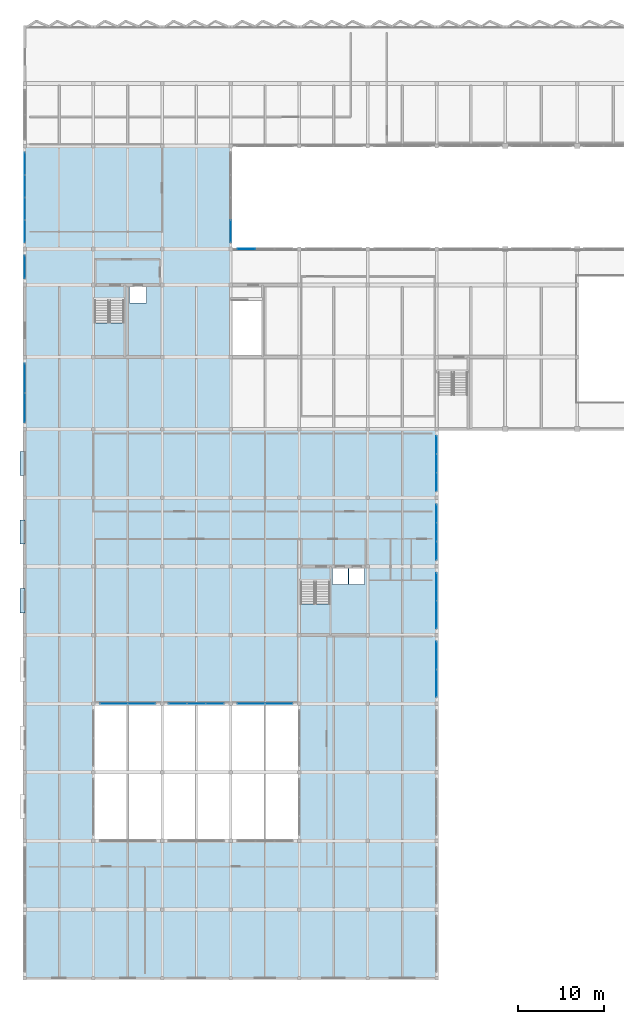
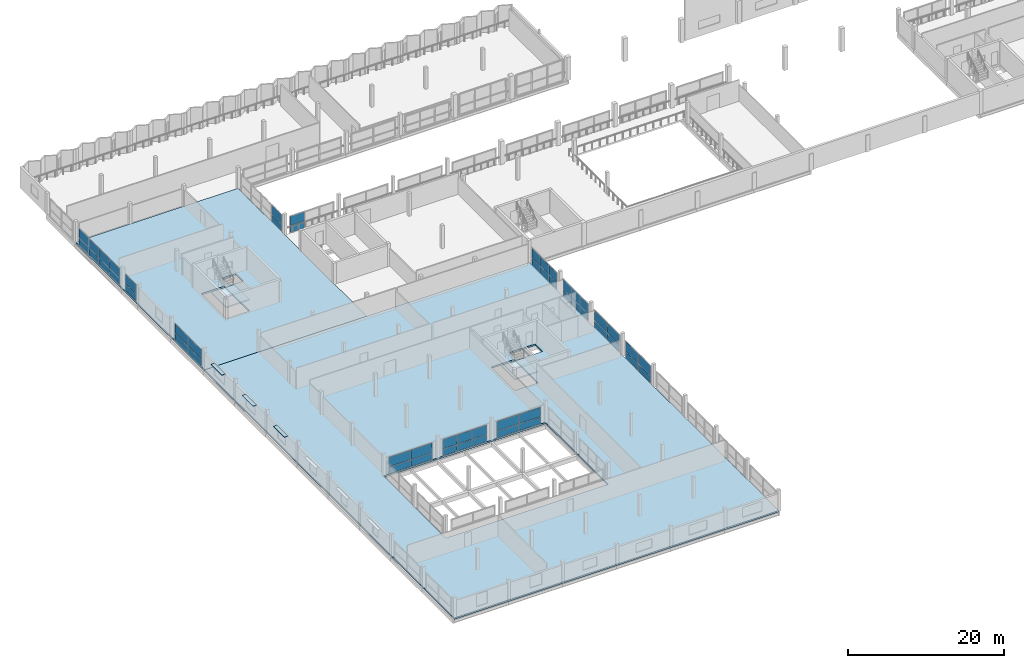
# One storey, part 31 of 51: 55 plates, 4 slabs, 14 elements without a shape of their own.
"""IFC4 building model written with IfcOpenShell, lengths in metres."""

from ifc_helpers import new_model, si_unit, direction, frame, origin, origin_2d, place, context, subcontext, project, spatial, polyline, rectangle, outline, extrude, material, layer, layer_set, type_object, element, aggregate, save


model = new_model("IFC4")

# Units and contexts
model_context = context("Model", 3, precision=1e-05, world=origin(), true_north=direction((0.0, 1.0)))
body_context = subcontext(model_context, "Body", "Model", "MODEL_VIEW")
ifc_project = project(units=[si_unit("LENGTHUNIT", "METRE"), si_unit("AREAUNIT", "SQUARE_METRE"), si_unit("VOLUMEUNIT", "CUBIC_METRE"), si_unit("PLANEANGLEUNIT", "RADIAN"), si_unit("MASSUNIT", "GRAM", prefix="KILO")], contexts=[model_context])

# Site, building, storey
site_placement = place(None, origin())
site = spatial("IfcSite", under=ifc_project, at=site_placement, CompositionType="ELEMENT")
building_placement = place(site_placement, origin())
building = spatial("IfcBuilding", under=site, at=building_placement, Name="Vharandega Faculty of Natural Sciences", CompositionType="ELEMENT")
storey_placement = place(building_placement, frame((0.0, 0.0, 14.39990234375)))
storey = spatial("IfcBuildingStorey", under=building, at=storey_placement, Name="L03", CompositionType="ELEMENT", Elevation=14.39990234375)

# Curtain wall, plates
ifc_material_1 = material(Name="Aluminium and solar-control glass curtain wall", Category="aluminium")
curtain_wall_type_1 = type_object("IfcCurtainWallType", Name="Unitised Curtain Wall System CW-08", PredefinedType="NOTDEFINED", material=ifc_material_1)
curtain_wall_1_placement = place(storey_placement, origin())
curtain_wall_1 = element("IfcCurtainWall", 1, at=curtain_wall_1_placement, inside=storey, type_object=curtain_wall_type_1, Name="Curtain Wall CW-L03-063", PredefinedType="NOTDEFINED")
ifc_material_2 = material(Name="Double-glazed low-E solar glass", Category="glass")
ifc_layer_1 = layer(ifc_material_2, 0.028076171875, Name="Double-glazed low-E solar glass")
ifc_layer_set_1 = layer_set([ifc_layer_1], Name="Double-glazed low-E solar glass")
plate_type_1 = type_object("IfcPlateType", Name="CW Solar Vision Panel 28mm", PredefinedType="CURTAIN_PANEL", material=ifc_layer_set_1)
plate_1_placement = place(storey_placement, frame((0.0, 66.485107421875, 0.06005859375), z_axis=(0.0, 0.0, 1.0), x_axis=(0.0, 1.0, 0.0)))
plate_1 = element("IfcPlate", 2, at=plate_1_placement, type_object=plate_type_1, Name="CW-08 panel 1.1", PredefinedType="CURTAIN_PANEL", context=body_context, shape_type="SweptSolid", body=[
    extrude(rectangle(XDim=3.3701171875, YDim=0.028076171875, at=origin_2d()), origin(), (0.0, 0.0, 1.0), 1.060791015625),
])
plate_2_placement = place(storey_placement, frame((0.0, 66.485107421875, 1.1806640625), z_axis=(0.0, 0.0, 1.0), x_axis=(0.0, 1.0, 0.0)))
plate_2 = element("IfcPlate", 3, at=plate_2_placement, type_object=plate_type_1, Name="CW-08 panel 1.2", PredefinedType="CURTAIN_PANEL", context=body_context, shape_type="SweptSolid", body=[
    extrude(rectangle(XDim=3.3701171875, YDim=0.028076171875, at=origin_2d()), origin(), (0.0, 0.0, 1.0), 1.499267578125),
])
plate_3_placement = place(storey_placement, frame((0.0, 69.9150390625, 0.06005859375), z_axis=(0.0, 0.0, 1.0), x_axis=(0.0, 1.0, 0.0)))
plate_3 = element("IfcPlate", 4, at=plate_3_placement, type_object=plate_type_1, Name="CW-08 panel 2.1", PredefinedType="CURTAIN_PANEL", context=body_context, shape_type="SweptSolid", body=[
    extrude(rectangle(XDim=3.3701171875, YDim=0.028076171875, at=origin_2d()), origin(), (0.0, 0.0, 1.0), 1.060791015625),
])
plate_4_placement = place(storey_placement, frame((0.0, 69.9150390625, 1.1806640625), z_axis=(0.0, 0.0, 1.0), x_axis=(0.0, 1.0, 0.0)))
plate_4 = element("IfcPlate", 5, at=plate_4_placement, type_object=plate_type_1, Name="CW-08 panel 2.2", PredefinedType="CURTAIN_PANEL", context=body_context, shape_type="SweptSolid", body=[
    extrude(rectangle(XDim=3.3701171875, YDim=0.028076171875, at=origin_2d()), origin(), (0.0, 0.0, 1.0), 1.499267578125),
])
aggregate(curtain_wall_1, [plate_1, plate_2, plate_3, plate_4])

ifc_material_3 = material(Name="Aluminium and solar-control glass curtain wall", Category="aluminium")
curtain_wall_type_2 = type_object("IfcCurtainWallType", Name="Unitised Curtain Wall System CW-09", PredefinedType="NOTDEFINED", material=ifc_material_3)
curtain_wall_2_placement = place(storey_placement, origin())
curtain_wall_2 = element("IfcCurtainWall", 6, at=curtain_wall_2_placement, inside=storey, type_object=curtain_wall_type_2, Name="Curtain Wall CW-L03-064", PredefinedType="NOTDEFINED")
plate_5_placement = place(storey_placement, frame((0.0, 82.89990234375, 0.06005859375), z_axis=(0.0, 0.0, 1.0), x_axis=(0.0, 1.0, 0.0)))
plate_5 = element("IfcPlate", 7, at=plate_5_placement, type_object=plate_type_1, Name="CW-09 panel 1.1", PredefinedType="CURTAIN_PANEL", context=body_context, shape_type="SweptSolid", body=[
    extrude(rectangle(XDim=2.60009765625, YDim=0.028076171875, at=origin_2d()), origin(), (0.0, 0.0, 1.0), 1.060791015625),
])
plate_6_placement = place(storey_placement, frame((0.0, 82.89990234375, 1.1806640625), z_axis=(0.0, 0.0, 1.0), x_axis=(0.0, 1.0, 0.0)))
plate_6 = element("IfcPlate", 8, at=plate_6_placement, type_object=plate_type_1, Name="CW-09 panel 1.2", PredefinedType="CURTAIN_PANEL", context=body_context, shape_type="SweptSolid", body=[
    extrude(rectangle(XDim=2.60009765625, YDim=0.028076171875, at=origin_2d()), origin(), (0.0, 0.0, 1.0), 1.499267578125),
])
aggregate(curtain_wall_2, [plate_5, plate_6])

ifc_material_4 = material(Name="Aluminium and solar-control glass curtain wall", Category="aluminium")
curtain_wall_type_3 = type_object("IfcCurtainWallType", Name="Unitised Curtain Wall System CW-10", PredefinedType="NOTDEFINED", material=ifc_material_4)
curtain_wall_3_placement = place(storey_placement, origin())
curtain_wall_3 = element("IfcCurtainWall", 9, at=curtain_wall_3_placement, inside=storey, type_object=curtain_wall_type_3, Name="Curtain Wall CW-L03-065", PredefinedType="NOTDEFINED")
plate_7_placement = place(storey_placement, frame((0.0, 87.070068359375, 0.06005859375), z_axis=(0.0, 0.0, 1.0), x_axis=(0.0, 1.0, 0.0)))
plate_7 = element("IfcPlate", 10, at=plate_7_placement, type_object=plate_type_1, Name="CW-10 panel 1.1", PredefinedType="CURTAIN_PANEL", context=body_context, shape_type="SweptSolid", body=[
    extrude(rectangle(XDim=2.5400390625, YDim=0.028076171875, at=origin_2d()), origin(), (0.0, 0.0, 1.0), 1.039794921875),
])
plate_8_placement = place(storey_placement, frame((0.0, 87.070068359375, 1.159912109375), z_axis=(0.0, 0.0, 1.0), x_axis=(0.0, 1.0, 0.0)))
plate_8 = element("IfcPlate", 11, at=plate_8_placement, type_object=plate_type_1, Name="CW-10 panel 1.2", PredefinedType="CURTAIN_PANEL", context=body_context, shape_type="SweptSolid", body=[
    extrude(rectangle(XDim=2.5400390625, YDim=0.028076171875, at=origin_2d()), origin(), (0.0, 0.0, 1.0), 1.47021484375),
])
plate_9_placement = place(storey_placement, frame((0.0, 89.68505859375, 0.06005859375), z_axis=(0.0, 0.0, 1.0), x_axis=(0.0, 1.0, 0.0)))
plate_9 = element("IfcPlate", 12, at=plate_9_placement, type_object=plate_type_1, Name="CW-10 panel 2.1", PredefinedType="CURTAIN_PANEL", context=body_context, shape_type="SweptSolid", body=[
    extrude(rectangle(XDim=2.570068359375, YDim=0.028076171875, at=origin_2d()), origin(), (0.0, 0.0, 1.0), 1.039794921875),
])
plate_10_placement = place(storey_placement, frame((0.0, 89.68505859375, 1.159912109375), z_axis=(0.0, 0.0, 1.0), x_axis=(0.0, 1.0, 0.0)))
plate_10 = element("IfcPlate", 13, at=plate_10_placement, type_object=plate_type_1, Name="CW-10 panel 2.2", PredefinedType="CURTAIN_PANEL", context=body_context, shape_type="SweptSolid", body=[
    extrude(rectangle(XDim=2.570068359375, YDim=0.028076171875, at=origin_2d()), origin(), (0.0, 0.0, 1.0), 1.47021484375),
])
plate_11_placement = place(storey_placement, frame((0.0, 92.31494140625, 0.06005859375), z_axis=(0.0, 0.0, 1.0), x_axis=(0.0, 1.0, 0.0)))
plate_11 = element("IfcPlate", 14, at=plate_11_placement, type_object=plate_type_1, Name="CW-10 panel 3.1", PredefinedType="CURTAIN_PANEL", context=body_context, shape_type="SweptSolid", body=[
    extrude(rectangle(XDim=2.570068359375, YDim=0.028076171875, at=origin_2d()), origin(), (0.0, 0.0, 1.0), 1.039794921875),
])
plate_12_placement = place(storey_placement, frame((0.0, 92.31494140625, 1.159912109375), z_axis=(0.0, 0.0, 1.0), x_axis=(0.0, 1.0, 0.0)))
plate_12 = element("IfcPlate", 15, at=plate_12_placement, type_object=plate_type_1, Name="CW-10 panel 3.2", PredefinedType="CURTAIN_PANEL", context=body_context, shape_type="SweptSolid", body=[
    extrude(rectangle(XDim=2.570068359375, YDim=0.028076171875, at=origin_2d()), origin(), (0.0, 0.0, 1.0), 1.47021484375),
])
plate_13_placement = place(storey_placement, frame((0.0, 94.929931640625, 0.06005859375), z_axis=(0.0, 0.0, 1.0), x_axis=(0.0, 1.0, 0.0)))
plate_13 = element("IfcPlate", 16, at=plate_13_placement, type_object=plate_type_1, Name="CW-10 panel 4.1", PredefinedType="CURTAIN_PANEL", context=body_context, shape_type="SweptSolid", body=[
    extrude(rectangle(XDim=2.5400390625, YDim=0.028076171875, at=origin_2d()), origin(), (0.0, 0.0, 1.0), 1.039794921875),
])
plate_14_placement = place(storey_placement, frame((0.0, 94.929931640625, 1.159912109375), z_axis=(0.0, 0.0, 1.0), x_axis=(0.0, 1.0, 0.0)))
plate_14 = element("IfcPlate", 17, at=plate_14_placement, type_object=plate_type_1, Name="CW-10 panel 4.2", PredefinedType="CURTAIN_PANEL", context=body_context, shape_type="SweptSolid", body=[
    extrude(rectangle(XDim=2.5400390625, YDim=0.028076171875, at=origin_2d()), origin(), (0.0, 0.0, 1.0), 1.47021484375),
])
aggregate(curtain_wall_3, [plate_7, plate_8, plate_9, plate_10, plate_11, plate_12, plate_13, plate_14])

ifc_material_5 = material(Name="Aluminium and solar-control glass curtain wall", Category="aluminium")
curtain_wall_type_4 = type_object("IfcCurtainWallType", Name="Unitised Curtain Wall System CW-18", PredefinedType="NOTDEFINED", material=ifc_material_5)
curtain_wall_4_placement = place(storey_placement, origin())
curtain_wall_4 = element("IfcCurtainWall", 18, at=curtain_wall_4_placement, inside=storey, type_object=curtain_wall_type_4, Name="Curtain Wall CW-L03-073", PredefinedType="NOTDEFINED")
plate_15_placement = place(storey_placement, frame((24.0, 87.070068359375, 0.06005859375), z_axis=(0.0, 0.0, 1.0), x_axis=(0.0, 1.0, 0.0)))
plate_15 = element("IfcPlate", 19, at=plate_15_placement, type_object=plate_type_1, Name="CW-18 panel 1.1", PredefinedType="CURTAIN_PANEL", context=body_context, shape_type="SweptSolid", body=[
    extrude(rectangle(XDim=2.5400390625, YDim=0.028076171875, at=origin_2d()), origin(), (0.0, 0.0, 1.0), 1.039794921875),
])
plate_16_placement = place(storey_placement, frame((24.0, 87.070068359375, 1.159912109375), z_axis=(0.0, 0.0, 1.0), x_axis=(0.0, 1.0, 0.0)))
plate_16 = element("IfcPlate", 20, at=plate_16_placement, type_object=plate_type_1, Name="CW-18 panel 1.2", PredefinedType="CURTAIN_PANEL", context=body_context, shape_type="SweptSolid", body=[
    extrude(rectangle(XDim=2.5400390625, YDim=0.028076171875, at=origin_2d()), origin(), (0.0, 0.0, 1.0), 1.47021484375),
])
aggregate(curtain_wall_4, [plate_15, plate_16])

ifc_material_6 = material(Name="Aluminium and solar-control glass curtain wall", Category="aluminium")
curtain_wall_type_5 = type_object("IfcCurtainWallType", Name="Unitised Curtain Wall System CW-11", PredefinedType="NOTDEFINED", material=ifc_material_6)
curtain_wall_5_placement = place(storey_placement, origin())
curtain_wall_5 = element("IfcCurtainWall", 21, at=curtain_wall_5_placement, inside=storey, type_object=curtain_wall_type_5, Name="Curtain Wall CW-L03-094", PredefinedType="NOTDEFINED")
plate_17_placement = place(storey_placement, frame((25.841552734375, 85.0, 0.06005859375), z_axis=(0.0, 0.0, 1.0), x_axis=(1.0, 0.0, 0.0)))
plate_17 = element("IfcPlate", 22, at=plate_17_placement, type_object=plate_type_1, Name="CW-11 panel 1.1", PredefinedType="CURTAIN_PANEL", context=body_context, shape_type="SweptSolid", body=[
    extrude(rectangle(XDim=2.083251953125, YDim=0.028076171875, at=origin_2d()), origin(), (0.0, 0.0, 1.0), 1.027099609375),
])
plate_18_placement = place(storey_placement, frame((25.841552734375, 85.0, 1.1474609375), z_axis=(0.0, 0.0, 1.0), x_axis=(1.0, 0.0, 0.0)))
plate_18 = element("IfcPlate", 23, at=plate_18_placement, type_object=plate_type_1, Name="CW-11 panel 1.2", PredefinedType="CURTAIN_PANEL", context=body_context, shape_type="SweptSolid", body=[
    extrude(rectangle(XDim=2.083251953125, YDim=0.028076171875, at=origin_2d()), origin(), (0.0, 0.0, 1.0), 1.452880859375),
])
aggregate(curtain_wall_5, [plate_17, plate_18])

curtain_wall_6_placement = place(storey_placement, origin())
curtain_wall_6 = element("IfcCurtainWall", 24, at=curtain_wall_6_placement, inside=storey, type_object=curtain_wall_type_4, Name="Curtain Wall CW-L03-157", PredefinedType="NOTDEFINED")
plate_19_placement = place(storey_placement, frame((48.0, 34.385009765625, 0.06005859375), z_axis=(0.0, 0.0, 1.0), x_axis=(0.0, 1.0, 0.0)))
plate_19 = element("IfcPlate", 25, at=plate_19_placement, type_object=plate_type_1, Name="CW-18 panel 1.1", PredefinedType="CURTAIN_PANEL", context=body_context, shape_type="SweptSolid", body=[
    extrude(rectangle(XDim=3.169921875, YDim=0.028076171875, at=origin_2d()), origin(), (0.0, 0.0, 1.0), 1.07763671875),
])
plate_20_placement = place(storey_placement, frame((48.0, 34.385009765625, 1.19775390625), z_axis=(0.0, 0.0, 1.0), x_axis=(0.0, 1.0, 0.0)))
plate_20 = element("IfcPlate", 26, at=plate_20_placement, type_object=plate_type_1, Name="CW-18 panel 1.2", PredefinedType="CURTAIN_PANEL", context=body_context, shape_type="SweptSolid", body=[
    extrude(rectangle(XDim=3.169921875, YDim=0.028076171875, at=origin_2d()), origin(), (0.0, 0.0, 1.0), 1.5224609375),
])
plate_21_placement = place(storey_placement, frame((48.0, 37.614990234375, 0.06005859375), z_axis=(0.0, 0.0, 1.0), x_axis=(0.0, 1.0, 0.0)))
plate_21 = element("IfcPlate", 27, at=plate_21_placement, type_object=plate_type_1, Name="CW-18 panel 2.1", PredefinedType="CURTAIN_PANEL", context=body_context, shape_type="SweptSolid", body=[
    extrude(rectangle(XDim=3.169921875, YDim=0.028076171875, at=origin_2d()), origin(), (0.0, 0.0, 1.0), 1.07763671875),
])
plate_22_placement = place(storey_placement, frame((48.0, 37.614990234375, 1.19775390625), z_axis=(0.0, 0.0, 1.0), x_axis=(0.0, 1.0, 0.0)))
plate_22 = element("IfcPlate", 28, at=plate_22_placement, type_object=plate_type_1, Name="CW-18 panel 2.2", PredefinedType="CURTAIN_PANEL", context=body_context, shape_type="SweptSolid", body=[
    extrude(rectangle(XDim=3.169921875, YDim=0.028076171875, at=origin_2d()), origin(), (0.0, 0.0, 1.0), 1.5224609375),
])
aggregate(curtain_wall_6, [plate_19, plate_20, plate_21, plate_22])

ifc_material_7 = material(Name="Aluminium and solar-control glass curtain wall", Category="aluminium")
curtain_wall_type_6 = type_object("IfcCurtainWallType", Name="Unitised Curtain Wall System CW-19", PredefinedType="NOTDEFINED", material=ifc_material_7)
curtain_wall_7_placement = place(storey_placement, origin())
curtain_wall_7 = element("IfcCurtainWall", 29, at=curtain_wall_7_placement, inside=storey, type_object=curtain_wall_type_6, Name="Curtain Wall CW-L03-158", PredefinedType="NOTDEFINED")
plate_23_placement = place(storey_placement, frame((48.0, 42.385009765625, 0.06005859375), z_axis=(0.0, 0.0, 1.0), x_axis=(0.0, 1.0, 0.0)))
plate_23 = element("IfcPlate", 30, at=plate_23_placement, type_object=plate_type_1, Name="CW-19 panel 1.1", PredefinedType="CURTAIN_PANEL", context=body_context, shape_type="SweptSolid", body=[
    extrude(rectangle(XDim=3.169921875, YDim=0.028076171875, at=origin_2d()), origin(), (0.0, 0.0, 1.0), 1.07763671875),
])
plate_24_placement = place(storey_placement, frame((48.0, 42.385009765625, 1.19775390625), z_axis=(0.0, 0.0, 1.0), x_axis=(0.0, 1.0, 0.0)))
plate_24 = element("IfcPlate", 31, at=plate_24_placement, type_object=plate_type_1, Name="CW-19 panel 1.2", PredefinedType="CURTAIN_PANEL", context=body_context, shape_type="SweptSolid", body=[
    extrude(rectangle(XDim=3.169921875, YDim=0.028076171875, at=origin_2d()), origin(), (0.0, 0.0, 1.0), 1.5224609375),
])
plate_25_placement = place(storey_placement, frame((48.0, 45.614990234375, 0.06005859375), z_axis=(0.0, 0.0, 1.0), x_axis=(0.0, 1.0, 0.0)))
plate_25 = element("IfcPlate", 32, at=plate_25_placement, type_object=plate_type_1, Name="CW-19 panel 2.1", PredefinedType="CURTAIN_PANEL", context=body_context, shape_type="SweptSolid", body=[
    extrude(rectangle(XDim=3.169921875, YDim=0.028076171875, at=origin_2d()), origin(), (0.0, 0.0, 1.0), 1.07763671875),
])
plate_26_placement = place(storey_placement, frame((48.0, 45.614990234375, 1.19775390625), z_axis=(0.0, 0.0, 1.0), x_axis=(0.0, 1.0, 0.0)))
plate_26 = element("IfcPlate", 33, at=plate_26_placement, type_object=plate_type_1, Name="CW-19 panel 2.2", PredefinedType="CURTAIN_PANEL", context=body_context, shape_type="SweptSolid", body=[
    extrude(rectangle(XDim=3.169921875, YDim=0.028076171875, at=origin_2d()), origin(), (0.0, 0.0, 1.0), 1.5224609375),
])
aggregate(curtain_wall_7, [plate_23, plate_24, plate_25, plate_26])

ifc_material_8 = material(Name="Aluminium and solar-control glass curtain wall", Category="aluminium")
curtain_wall_type_7 = type_object("IfcCurtainWallType", Name="Unitised Curtain Wall System CW-20", PredefinedType="NOTDEFINED", material=ifc_material_8)
curtain_wall_8_placement = place(storey_placement, origin())
curtain_wall_8 = element("IfcCurtainWall", 34, at=curtain_wall_8_placement, inside=storey, type_object=curtain_wall_type_7, Name="Curtain Wall CW-L03-159", PredefinedType="NOTDEFINED")
plate_27_placement = place(storey_placement, frame((48.0, 49.841552734375, 0.06005859375), z_axis=(0.0, 0.0, 1.0), x_axis=(0.0, 1.0, 0.0)))
plate_27 = element("IfcPlate", 35, at=plate_27_placement, type_object=plate_type_1, Name="CW-20 panel 1.1", PredefinedType="CURTAIN_PANEL", context=body_context, shape_type="SweptSolid", body=[
    extrude(rectangle(XDim=2.083251953125, YDim=0.028076171875, at=origin_2d()), origin(), (0.0, 0.0, 1.0), 1.07763671875),
])
plate_28_placement = place(storey_placement, frame((48.0, 49.841552734375, 1.19775390625), z_axis=(0.0, 0.0, 1.0), x_axis=(0.0, 1.0, 0.0)))
plate_28 = element("IfcPlate", 36, at=plate_28_placement, type_object=plate_type_1, Name="CW-20 panel 1.2", PredefinedType="CURTAIN_PANEL", context=body_context, shape_type="SweptSolid", body=[
    extrude(rectangle(XDim=2.083251953125, YDim=0.028076171875, at=origin_2d()), origin(), (0.0, 0.0, 1.0), 1.5224609375),
])
plate_29_placement = place(storey_placement, frame((48.0, 52.0, 0.06005859375), z_axis=(0.0, 0.0, 1.0), x_axis=(0.0, 1.0, 0.0)))
plate_29 = element("IfcPlate", 37, at=plate_29_placement, type_object=plate_type_1, Name="CW-20 panel 2.1", PredefinedType="CURTAIN_PANEL", context=body_context, shape_type="SweptSolid", body=[
    extrude(rectangle(XDim=2.11328125, YDim=0.028076171875, at=origin_2d()), origin(), (0.0, 0.0, 1.0), 1.07763671875),
])
plate_30_placement = place(storey_placement, frame((48.0, 52.0, 1.19775390625), z_axis=(0.0, 0.0, 1.0), x_axis=(0.0, 1.0, 0.0)))
plate_30 = element("IfcPlate", 38, at=plate_30_placement, type_object=plate_type_1, Name="CW-20 panel 2.2", PredefinedType="CURTAIN_PANEL", context=body_context, shape_type="SweptSolid", body=[
    extrude(rectangle(XDim=2.11328125, YDim=0.028076171875, at=origin_2d()), origin(), (0.0, 0.0, 1.0), 1.5224609375),
])
plate_31_placement = place(storey_placement, frame((48.0, 54.158447265625, 0.06005859375), z_axis=(0.0, 0.0, 1.0), x_axis=(0.0, 1.0, 0.0)))
plate_31 = element("IfcPlate", 39, at=plate_31_placement, type_object=plate_type_1, Name="CW-20 panel 3.1", PredefinedType="CURTAIN_PANEL", context=body_context, shape_type="SweptSolid", body=[
    extrude(rectangle(XDim=2.083251953125, YDim=0.028076171875, at=origin_2d()), origin(), (0.0, 0.0, 1.0), 1.07763671875),
])
plate_32_placement = place(storey_placement, frame((48.0, 54.158447265625, 1.19775390625), z_axis=(0.0, 0.0, 1.0), x_axis=(0.0, 1.0, 0.0)))
plate_32 = element("IfcPlate", 40, at=plate_32_placement, type_object=plate_type_1, Name="CW-20 panel 3.2", PredefinedType="CURTAIN_PANEL", context=body_context, shape_type="SweptSolid", body=[
    extrude(rectangle(XDim=2.083251953125, YDim=0.028076171875, at=origin_2d()), origin(), (0.0, 0.0, 1.0), 1.5224609375),
])
aggregate(curtain_wall_8, [plate_27, plate_28, plate_29, plate_30, plate_31, plate_32])

ifc_material_9 = material(Name="Aluminium and solar-control glass curtain wall", Category="aluminium")
curtain_wall_type_8 = type_object("IfcCurtainWallType", Name="Unitised Curtain Wall System CW-21", PredefinedType="NOTDEFINED", material=ifc_material_9)
curtain_wall_9_placement = place(storey_placement, origin())
curtain_wall_9 = element("IfcCurtainWall", 41, at=curtain_wall_9_placement, inside=storey, type_object=curtain_wall_type_8, Name="Curtain Wall CW-L03-160", PredefinedType="NOTDEFINED")
plate_33_placement = place(storey_placement, frame((48.0, 57.841552734375, 0.06005859375), z_axis=(0.0, 0.0, 1.0), x_axis=(0.0, 1.0, 0.0)))
plate_33 = element("IfcPlate", 42, at=plate_33_placement, type_object=plate_type_1, Name="CW-21 panel 1.1", PredefinedType="CURTAIN_PANEL", context=body_context, shape_type="SweptSolid", body=[
    extrude(rectangle(XDim=2.083251953125, YDim=0.028076171875, at=origin_2d()), origin(), (0.0, 0.0, 1.0), 1.07763671875),
])
plate_34_placement = place(storey_placement, frame((48.0, 57.841552734375, 1.19775390625), z_axis=(0.0, 0.0, 1.0), x_axis=(0.0, 1.0, 0.0)))
plate_34 = element("IfcPlate", 43, at=plate_34_placement, type_object=plate_type_1, Name="CW-21 panel 1.2", PredefinedType="CURTAIN_PANEL", context=body_context, shape_type="SweptSolid", body=[
    extrude(rectangle(XDim=2.083251953125, YDim=0.028076171875, at=origin_2d()), origin(), (0.0, 0.0, 1.0), 1.5224609375),
])
plate_35_placement = place(storey_placement, frame((48.0, 60.0, 0.06005859375), z_axis=(0.0, 0.0, 1.0), x_axis=(0.0, 1.0, 0.0)))
plate_35 = element("IfcPlate", 44, at=plate_35_placement, type_object=plate_type_1, Name="CW-21 panel 2.1", PredefinedType="CURTAIN_PANEL", context=body_context, shape_type="SweptSolid", body=[
    extrude(rectangle(XDim=2.11328125, YDim=0.028076171875, at=origin_2d()), origin(), (0.0, 0.0, 1.0), 1.07763671875),
])
plate_36_placement = place(storey_placement, frame((48.0, 60.0, 1.19775390625), z_axis=(0.0, 0.0, 1.0), x_axis=(0.0, 1.0, 0.0)))
plate_36 = element("IfcPlate", 45, at=plate_36_placement, type_object=plate_type_1, Name="CW-21 panel 2.2", PredefinedType="CURTAIN_PANEL", context=body_context, shape_type="SweptSolid", body=[
    extrude(rectangle(XDim=2.11328125, YDim=0.028076171875, at=origin_2d()), origin(), (0.0, 0.0, 1.0), 1.5224609375),
])
plate_37_placement = place(storey_placement, frame((48.0, 62.158447265625, 0.06005859375), z_axis=(0.0, 0.0, 1.0), x_axis=(0.0, 1.0, 0.0)))
plate_37 = element("IfcPlate", 46, at=plate_37_placement, type_object=plate_type_1, Name="CW-21 panel 3.1", PredefinedType="CURTAIN_PANEL", context=body_context, shape_type="SweptSolid", body=[
    extrude(rectangle(XDim=2.083251953125, YDim=0.028076171875, at=origin_2d()), origin(), (0.0, 0.0, 1.0), 1.07763671875),
])
plate_38_placement = place(storey_placement, frame((48.0, 62.158447265625, 1.19775390625), z_axis=(0.0, 0.0, 1.0), x_axis=(0.0, 1.0, 0.0)))
plate_38 = element("IfcPlate", 47, at=plate_38_placement, type_object=plate_type_1, Name="CW-21 panel 3.2", PredefinedType="CURTAIN_PANEL", context=body_context, shape_type="SweptSolid", body=[
    extrude(rectangle(XDim=2.083251953125, YDim=0.028076171875, at=origin_2d()), origin(), (0.0, 0.0, 1.0), 1.5224609375),
])
aggregate(curtain_wall_9, [plate_33, plate_34, plate_35, plate_36, plate_37, plate_38])

ifc_material_10 = material(Name="Aluminium and solar-control glass curtain wall", Category="aluminium")
curtain_wall_type_9 = type_object("IfcCurtainWallType", Name="Unitised Curtain Wall System CW-23", PredefinedType="NOTDEFINED", material=ifc_material_10)
curtain_wall_10_placement = place(storey_placement, origin())
curtain_wall_10 = element("IfcCurtainWall", 48, at=curtain_wall_10_placement, inside=storey, type_object=curtain_wall_type_9, Name="Curtain Wall CW-L03-162", PredefinedType="NOTDEFINED")
plate_39_placement = place(storey_placement, frame((10.385009765625, 32.0, 0.06005859375), z_axis=(0.0, 0.0, 1.0), x_axis=(1.0, 0.0, 0.0)))
plate_39 = element("IfcPlate", 49, at=plate_39_placement, type_object=plate_type_1, Name="CW-23 panel 1.1", PredefinedType="CURTAIN_PANEL", context=body_context, shape_type="SweptSolid", body=[
    extrude(rectangle(XDim=3.169921875, YDim=0.028076171875, at=origin_2d()), origin(), (0.0, 0.0, 1.0), 1.0439453125),
])
plate_40_placement = place(storey_placement, frame((10.385009765625, 32.0, 1.1640625), z_axis=(0.0, 0.0, 1.0), x_axis=(1.0, 0.0, 0.0)))
plate_40 = element("IfcPlate", 50, at=plate_40_placement, type_object=plate_type_1, Name="CW-23 panel 1.2", PredefinedType="CURTAIN_PANEL", context=body_context, shape_type="SweptSolid", body=[
    extrude(rectangle(XDim=3.169921875, YDim=0.028076171875, at=origin_2d()), origin(), (0.0, 0.0, 1.0), 1.47607421875),
])
plate_41_placement = place(storey_placement, frame((13.614990234375, 32.0, 0.06005859375), z_axis=(0.0, 0.0, 1.0), x_axis=(1.0, 0.0, 0.0)))
plate_41 = element("IfcPlate", 51, at=plate_41_placement, type_object=plate_type_1, Name="CW-23 panel 2.1", PredefinedType="CURTAIN_PANEL", context=body_context, shape_type="SweptSolid", body=[
    extrude(rectangle(XDim=3.169921875, YDim=0.028076171875, at=origin_2d()), origin(), (0.0, 0.0, 1.0), 1.0439453125),
])
plate_42_placement = place(storey_placement, frame((13.614990234375, 32.0, 1.1640625), z_axis=(0.0, 0.0, 1.0), x_axis=(1.0, 0.0, 0.0)))
plate_42 = element("IfcPlate", 52, at=plate_42_placement, type_object=plate_type_1, Name="CW-23 panel 2.2", PredefinedType="CURTAIN_PANEL", context=body_context, shape_type="SweptSolid", body=[
    extrude(rectangle(XDim=3.169921875, YDim=0.028076171875, at=origin_2d()), origin(), (0.0, 0.0, 1.0), 1.47607421875),
])
aggregate(curtain_wall_10, [plate_39, plate_40, plate_41, plate_42])

ifc_material_11 = material(Name="Aluminium and solar-control glass curtain wall", Category="aluminium")
curtain_wall_type_10 = type_object("IfcCurtainWallType", Name="Unitised Curtain Wall System CW-25", PredefinedType="NOTDEFINED", material=ifc_material_11)
curtain_wall_11_placement = place(storey_placement, origin())
curtain_wall_11 = element("IfcCurtainWall", 53, at=curtain_wall_11_placement, inside=storey, type_object=curtain_wall_type_10, Name="Curtain Wall CW-L03-164", PredefinedType="NOTDEFINED")
plate_43_placement = place(storey_placement, frame((17.841552734375, 32.0, 0.06005859375), z_axis=(0.0, 0.0, 1.0), x_axis=(1.0, 0.0, 0.0)))
plate_43 = element("IfcPlate", 54, at=plate_43_placement, type_object=plate_type_1, Name="CW-25 panel 1.1", PredefinedType="CURTAIN_PANEL", context=body_context, shape_type="SweptSolid", body=[
    extrude(rectangle(XDim=2.083251953125, YDim=0.028076171875, at=origin_2d()), origin(), (0.0, 0.0, 1.0), 1.0439453125),
])
plate_44_placement = place(storey_placement, frame((17.841552734375, 32.0, 1.1640625), z_axis=(0.0, 0.0, 1.0), x_axis=(1.0, 0.0, 0.0)))
plate_44 = element("IfcPlate", 55, at=plate_44_placement, type_object=plate_type_1, Name="CW-25 panel 1.2", PredefinedType="CURTAIN_PANEL", context=body_context, shape_type="SweptSolid", body=[
    extrude(rectangle(XDim=2.083251953125, YDim=0.028076171875, at=origin_2d()), origin(), (0.0, 0.0, 1.0), 1.47607421875),
])
plate_45_placement = place(storey_placement, frame((20.0, 32.0, 0.06005859375), z_axis=(0.0, 0.0, 1.0), x_axis=(1.0, 0.0, 0.0)))
plate_45 = element("IfcPlate", 56, at=plate_45_placement, type_object=plate_type_1, Name="CW-25 panel 2.1", PredefinedType="CURTAIN_PANEL", context=body_context, shape_type="SweptSolid", body=[
    extrude(rectangle(XDim=2.11328125, YDim=0.028076171875, at=origin_2d()), origin(), (0.0, 0.0, 1.0), 1.0439453125),
])
plate_46_placement = place(storey_placement, frame((20.0, 32.0, 1.1640625), z_axis=(0.0, 0.0, 1.0), x_axis=(1.0, 0.0, 0.0)))
plate_46 = element("IfcPlate", 57, at=plate_46_placement, type_object=plate_type_1, Name="CW-25 panel 2.2", PredefinedType="CURTAIN_PANEL", context=body_context, shape_type="SweptSolid", body=[
    extrude(rectangle(XDim=2.11328125, YDim=0.028076171875, at=origin_2d()), origin(), (0.0, 0.0, 1.0), 1.47607421875),
])
plate_47_placement = place(storey_placement, frame((22.158447265625, 32.0, 0.06005859375), z_axis=(0.0, 0.0, 1.0), x_axis=(1.0, 0.0, 0.0)))
plate_47 = element("IfcPlate", 58, at=plate_47_placement, type_object=plate_type_1, Name="CW-25 panel 3.1", PredefinedType="CURTAIN_PANEL", context=body_context, shape_type="SweptSolid", body=[
    extrude(rectangle(XDim=2.083251953125, YDim=0.028076171875, at=origin_2d()), origin(), (0.0, 0.0, 1.0), 1.0439453125),
])
plate_48_placement = place(storey_placement, frame((22.158447265625, 32.0, 1.1640625), z_axis=(0.0, 0.0, 1.0), x_axis=(1.0, 0.0, 0.0)))
plate_48 = element("IfcPlate", 59, at=plate_48_placement, type_object=plate_type_1, Name="CW-25 panel 3.2", PredefinedType="CURTAIN_PANEL", context=body_context, shape_type="SweptSolid", body=[
    extrude(rectangle(XDim=2.083251953125, YDim=0.028076171875, at=origin_2d()), origin(), (0.0, 0.0, 1.0), 1.47607421875),
])
aggregate(curtain_wall_11, [plate_43, plate_44, plate_45, plate_46, plate_47, plate_48])

ifc_material_12 = material(Name="Aluminium and solar-control glass curtain wall", Category="aluminium")
curtain_wall_type_11 = type_object("IfcCurtainWallType", Name="Unitised Curtain Wall System CW-27", PredefinedType="NOTDEFINED", material=ifc_material_12)
curtain_wall_12_placement = place(storey_placement, origin())
curtain_wall_12 = element("IfcCurtainWall", 60, at=curtain_wall_12_placement, inside=storey, type_object=curtain_wall_type_11, Name="Curtain Wall CW-L03-166", PredefinedType="NOTDEFINED")
plate_49_placement = place(storey_placement, frame((26.385009765625, 32.0, 0.06005859375), z_axis=(0.0, 0.0, 1.0), x_axis=(1.0, 0.0, 0.0)))
plate_49 = element("IfcPlate", 61, at=plate_49_placement, type_object=plate_type_1, Name="CW-27 panel 1.1", PredefinedType="CURTAIN_PANEL", context=body_context, shape_type="SweptSolid", body=[
    extrude(rectangle(XDim=3.169921875, YDim=0.028076171875, at=origin_2d()), origin(), (0.0, 0.0, 1.0), 1.0439453125),
])
plate_50_placement = place(storey_placement, frame((26.385009765625, 32.0, 1.1640625), z_axis=(0.0, 0.0, 1.0), x_axis=(1.0, 0.0, 0.0)))
plate_50 = element("IfcPlate", 62, at=plate_50_placement, type_object=plate_type_1, Name="CW-27 panel 1.2", PredefinedType="CURTAIN_PANEL", context=body_context, shape_type="SweptSolid", body=[
    extrude(rectangle(XDim=3.169921875, YDim=0.028076171875, at=origin_2d()), origin(), (0.0, 0.0, 1.0), 1.47607421875),
])
plate_51_placement = place(storey_placement, frame((29.614990234375, 32.0, 0.06005859375), z_axis=(0.0, 0.0, 1.0), x_axis=(1.0, 0.0, 0.0)))
plate_51 = element("IfcPlate", 63, at=plate_51_placement, type_object=plate_type_1, Name="CW-27 panel 2.1", PredefinedType="CURTAIN_PANEL", context=body_context, shape_type="SweptSolid", body=[
    extrude(rectangle(XDim=3.169921875, YDim=0.028076171875, at=origin_2d()), origin(), (0.0, 0.0, 1.0), 1.0439453125),
])
plate_52_placement = place(storey_placement, frame((29.614990234375, 32.0, 1.1640625), z_axis=(0.0, 0.0, 1.0), x_axis=(1.0, 0.0, 0.0)))
plate_52 = element("IfcPlate", 64, at=plate_52_placement, type_object=plate_type_1, Name="CW-27 panel 2.2", PredefinedType="CURTAIN_PANEL", context=body_context, shape_type="SweptSolid", body=[
    extrude(rectangle(XDim=3.169921875, YDim=0.028076171875, at=origin_2d()), origin(), (0.0, 0.0, 1.0), 1.47607421875),
])
aggregate(curtain_wall_12, [plate_49, plate_50, plate_51, plate_52])

# Plates
ifc_material_13 = material(Name="Aluminium solar hood sheet", Category="aluminium")
ifc_layer_2 = layer(ifc_material_13, 0.0400390625, Name="Aluminium solar hood sheet")
ifc_layer_set_2 = layer_set([ifc_layer_2], Name="Aluminium solar hood sheet")
plate_type_2 = type_object("IfcPlateType", Name="North Solar Hood Sheet Plate 40", PredefinedType="SHEET", material=ifc_layer_set_2)
for number, where, z_axis, x_axis, name in (
    (65, (-0.280029296875, 44.0, 2.60009765625), (0.0, 0.0, 1.0), (1.0, 0.0, 0.0), "Solar Shading Hood L03 F"),
    (66, (-0.280029296875, 52.0, 2.60009765625), (0.0, 0.0, 1.0), (1.0, 0.0, 0.0), "Solar Shading Hood L03 G"),
    (67, (-0.280029296875, 60.0, 2.60009765625), (0.0, 0.0, 1.0), (1.0, 0.0, 0.0), "Solar Shading Hood L03 H"),
):
    element("IfcPlate", number, at=place(storey_placement, frame(where, z_axis=z_axis, x_axis=x_axis)), inside=storey, type_object=plate_type_2, Name=name, PredefinedType="SHEET", context=body_context, shape_type="SweptSolid", body=[
        extrude(rectangle(XDim=0.56005859375, YDim=2.800048828125, at=origin_2d()), origin(), (0.0, 0.0, 1.0), 0.0400390625),
    ])

# Slabs
ifc_material_14 = material(Name="Cross-laminated timber CLT7-240", Category="wood")
ifc_layer_3 = layer(ifc_material_14, 0.239990234375, Name="Cross-laminated timber CLT7-240")
ifc_layer_set_3 = layer_set([ifc_layer_3], Name="Cross-laminated timber CLT7-240")
slab_type_1 = type_object("IfcSlabType", Name="SLAB-CLT-240", PredefinedType="FLOOR", material=ifc_layer_set_3)
slab_1_placement = place(storey_placement, frame((0.0, 0.0, -0.239990234375)))
element("IfcSlab", 68, at=slab_1_placement, inside=storey, type_object=slab_type_1, Name="L03 V5 Floor Slab", PredefinedType="FLOOR", context=body_context, shape_type="SweptSolid", body=[
    extrude(outline(polyline([(0.0, 0.0), (48.0, 0.0), (48.0, 64.0), (0.0, 64.0), (0.0, 0.0)]), holes=[polyline([(8.0, 16.0), (32.0, 16.0), (32.0, 32.0), (8.0, 32.0), (8.0, 16.0)]), polyline([(32.139892578125, 46.14501953125), (32.139892578125, 40.139892578125), (35.56005859375, 40.139892578125), (35.56005859375, 46.14501953125), (32.139892578125, 46.14501953125)]), polyline([(35.85009765625, 45.89990234375), (37.64990234375, 45.89990234375), (37.64990234375, 47.820068359375), (35.85009765625, 47.820068359375), (35.85009765625, 45.89990234375)]), polyline([(37.800048828125, 45.89990234375), (39.60009765625, 45.89990234375), (39.60009765625, 47.820068359375), (37.800048828125, 47.820068359375), (37.800048828125, 45.89990234375)])]), origin(), (0.0, 0.0, 1.0), 0.239990234375),
])
slab_2_placement = place(storey_placement, frame((0.0, 0.0, -0.239990234375)))
element("IfcSlab", 69, at=slab_2_placement, inside=storey, type_object=slab_type_1, Name="L03 V2 Floor Slab", PredefinedType="FLOOR", context=body_context, shape_type="SweptSolid", body=[
    extrude(outline(polyline([(0.0, 64.0), (24.0, 64.0), (24.0, 97.0), (0.0, 97.0), (0.0, 64.0)]), holes=[polyline([(8.139892578125, 78.945068359375), (8.139892578125, 72.5400390625), (11.56005859375, 72.5400390625), (11.56005859375, 78.945068359375), (8.139892578125, 78.945068359375)]), polyline([(12.199951171875, 78.699951171875), (14.199951171875, 78.699951171875), (14.199951171875, 80.6201171875), (12.199951171875, 80.6201171875), (12.199951171875, 78.699951171875)])]), origin(), (0.0, 0.0, 1.0), 0.239990234375),
])

# Stair, slab
ifc_material_15 = material(Name="Concrete C40/50", Category="concrete")
stair_type = type_object("IfcStairType", Name="Escape Dog-Leg Stair W165 H360", PredefinedType="HALF_TURN_STAIR", material=ifc_material_15)
stair_1_placement = place(storey_placement, origin())
stair_1 = element("IfcStair", 70, at=stair_1_placement, inside=storey, type_object=stair_type, Name="L03 Escape Stair ST3", PredefinedType="HALF_TURN_STAIR")
ifc_material_16 = material(Name="Concrete C40/50", Category="concrete")
ifc_layer_4 = layer(ifc_material_16, 0.199951171875, Name="Concrete C40/50")
ifc_layer_set_4 = layer_set([ifc_layer_4], Name="Concrete C40/50")
slab_type_2 = type_object("IfcSlabType", Name="Stair Half-Landing Slab 200", PredefinedType="LANDING", material=ifc_layer_set_4)
slab_3_placement = place(storey_placement, frame((0.0, 0.0, 1.60009765625)))
slab_3 = element("IfcSlab", 71, at=slab_3_placement, type_object=slab_type_2, Name="ST3 landing 1", PredefinedType="LANDING", context=body_context, shape_type="SweptSolid", body=[
    extrude(outline(polyline([(32.139892578125, 43.60009765625), (32.139892578125, 40.139892578125), (35.56005859375, 40.139892578125), (35.56005859375, 43.60009765625), (32.139892578125, 43.60009765625)])), origin(), (0.0, 0.0, 1.0), 0.199951171875),
])
aggregate(stair_1, [slab_3])

stair_2_placement = place(storey_placement, origin())
stair_2 = element("IfcStair", 72, at=stair_2_placement, inside=storey, type_object=stair_type, Name="L03 Escape Stair ST4", PredefinedType="HALF_TURN_STAIR")
slab_4_placement = place(storey_placement, frame((0.0, 0.0, 1.60009765625)))
slab_4 = element("IfcSlab", 73, at=slab_4_placement, type_object=slab_type_2, Name="ST4 landing 1", PredefinedType="LANDING", context=body_context, shape_type="SweptSolid", body=[
    extrude(outline(polyline([(8.139892578125, 76.39990234375), (8.139892578125, 72.5400390625), (11.56005859375, 72.5400390625), (11.56005859375, 76.39990234375), (8.139892578125, 76.39990234375)])), origin(), (0.0, 0.0, 1.0), 0.199951171875),
])
aggregate(stair_2, [slab_4])

save(model, "model.ifc")
